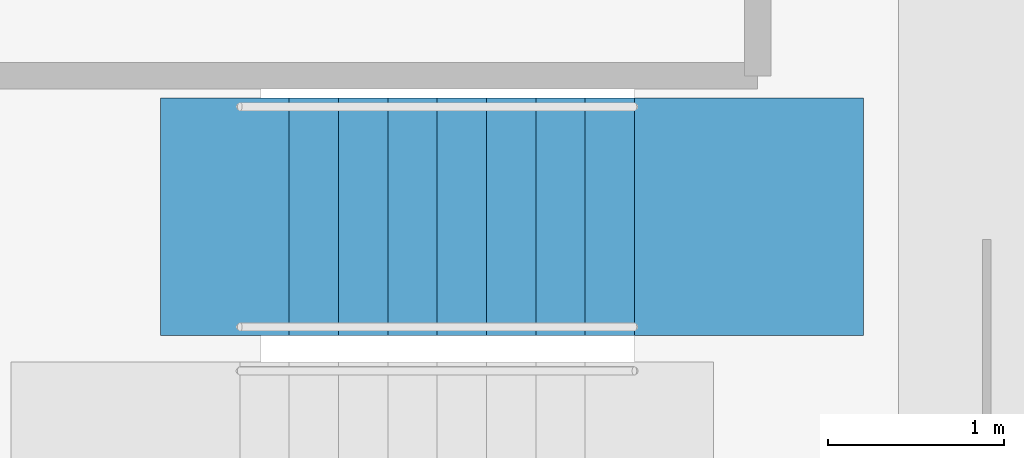
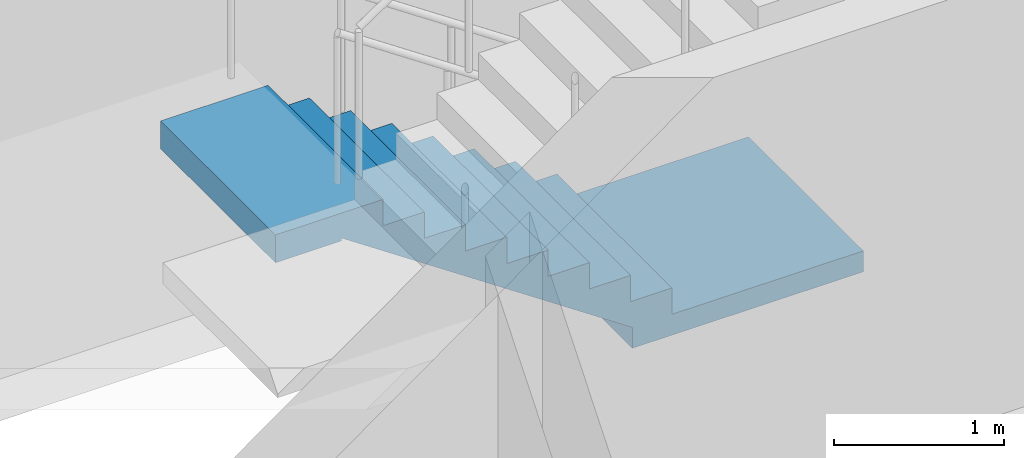
# One storey, part 13 of 15: 1 stair flight, 1 element without a shape of its own.
"""IFC4 building model written with IfcOpenShell, lengths in metres."""

from ifc_helpers import new_model, si_unit, direction, frame, origin, place, context, subcontext, project, spatial, polyline, outline, extrude, material, type_object, element, aggregate, save


model = new_model("IFC4")

# Units and contexts
model_context = context("Model", 3, precision=1e-05, world=origin(), true_north=direction((0.0, 1.0)))
body_context = subcontext(model_context, "Body", "Model", "MODEL_VIEW")
ifc_project = project(units=[si_unit("LENGTHUNIT", "METRE"), si_unit("AREAUNIT", "SQUARE_METRE"), si_unit("VOLUMEUNIT", "CUBIC_METRE"), si_unit("PLANEANGLEUNIT", "RADIAN"), si_unit("MASSUNIT", "GRAM", prefix="KILO")], contexts=[model_context])

# Site, building, storey
site_placement = place(None, origin())
site = spatial("IfcSite", under=ifc_project, at=site_placement, CompositionType="ELEMENT")
building_placement = place(site_placement, origin())
building = spatial("IfcBuilding", under=site, at=building_placement, Name="Windrow Commons", CompositionType="ELEMENT")
storey_placement = place(building_placement, frame((0.0, 0.0, 27.0)))
storey = spatial("IfcBuildingStorey", under=building, at=storey_placement, Name="L06", CompositionType="ELEMENT", Elevation=27.0)

# Stair, stair flight
ifc_material_1 = material(Name="Concrete C40/50", Category="concrete")
stair_type = type_object("IfcStairType", Name="Core stair", PredefinedType="HALF_TURN_STAIR", material=ifc_material_1)
stair_placement = place(storey_placement, origin())
stair = element("IfcStair", 1, at=stair_placement, inside=storey, type_object=stair_type, Name="L06 Exit stair A2 core A", PredefinedType="HALF_TURN_STAIR")
ifc_material_2 = material(Name="Concrete C40/50", Category="concrete")
stair_flight_type = type_object("IfcStairFlightType", Name="Core stair flight", PredefinedType="STRAIGHT", material=ifc_material_2)
stair_flight_placement = place(storey_placement, frame((70.5, 62.98, 0.0), z_axis=(0.0, 0.0, 1.0), x_axis=(-1.0, 0.0, 0.0)))
stair_flight = element("IfcStairFlight", 2, at=stair_flight_placement, type_object=stair_flight_type, Name="ST-A2 flight 1", NumberOfRisers=9, NumberOfTreads=8, PredefinedType="STRAIGHT", RiserHeight=0.188888889, TreadLength=0.28, context=body_context, shape_type="SweptSolid", body=[
    extrude(outline(polyline([(-1.3, -0.15), (-1.3, 0.0), (0.0, 0.0), (0.0, 0.1889), (0.28, 0.1889), (0.28, 0.3778), (0.56, 0.3778), (0.56, 0.5667), (0.84, 0.5667), (0.84, 0.7556), (1.12, 0.7556), (1.12, 0.9444), (1.4, 0.9444), (1.4, 1.1333), (1.68, 1.1333), (1.68, 1.3222), (1.96, 1.3222), (1.96, 1.5111), (2.24, 1.5111), (2.69, 1.5111), (2.69, 1.3111), (2.24, 1.3111), (2.24, 1.3302), (0.2682, 0.0), (0.2682, -0.15), (-1.3, -0.15)])), frame((0.0, 0.675, 0.0), z_axis=(0.0, -1.0, 0.0), x_axis=(1.0, 0.0, 0.0)), (0.0, 0.0, 1.0), 1.35),
])
aggregate(stair, [stair_flight])

save(model, "model.ifc")
